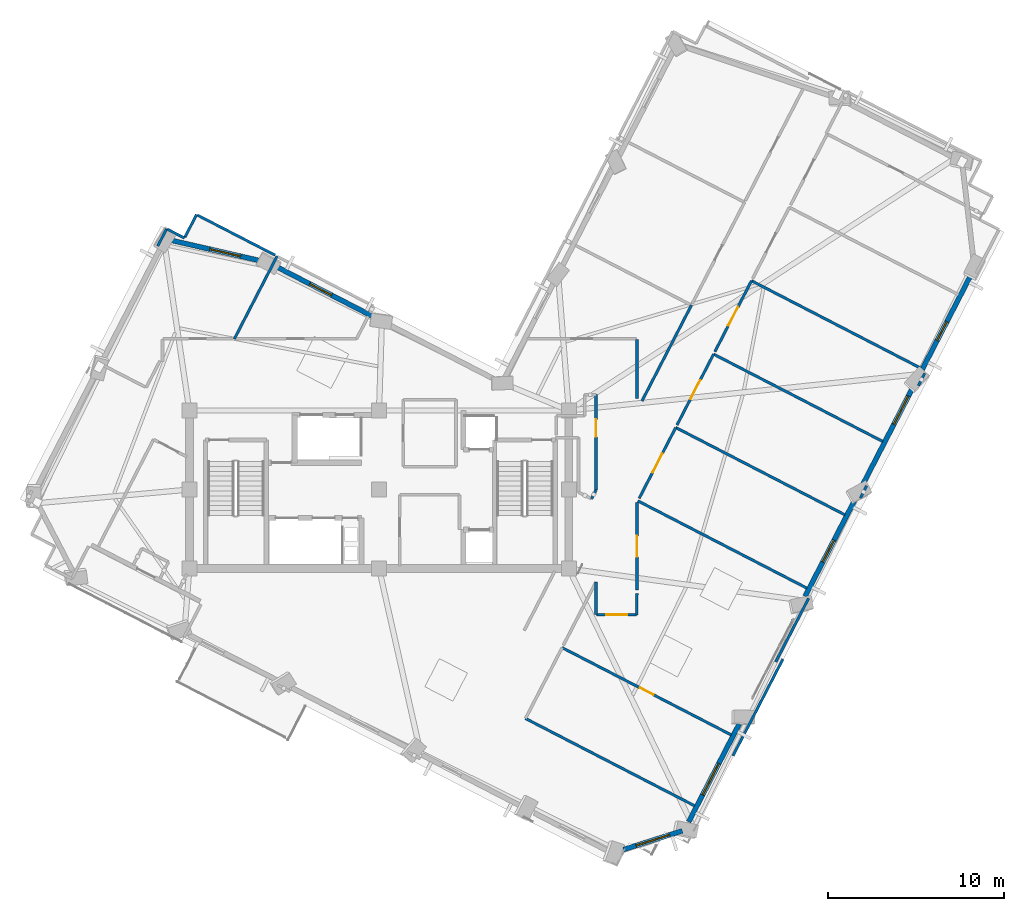
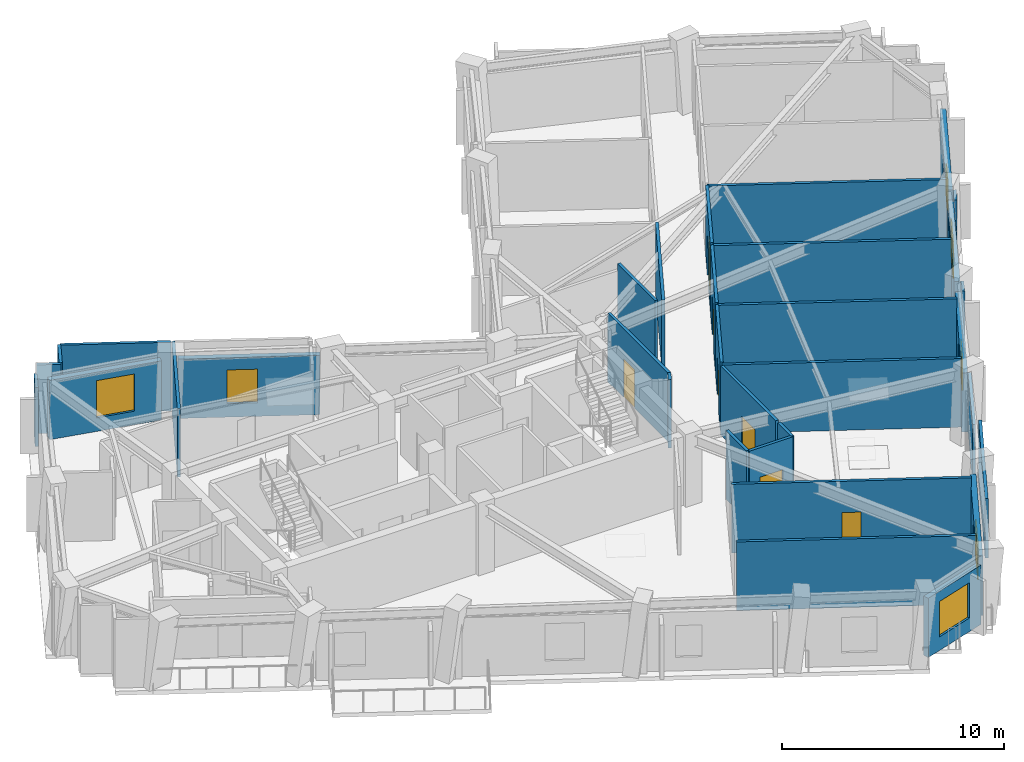
# One storey, part 7 of 11: 33 walls, 7 doors, 7 windows, 14 openings.
"""IFC4 building model written with IfcOpenShell, lengths in metres."""

from ifc_helpers import new_model, si_unit, direction, frame, frame_2d, origin, place, context, subcontext, project, spatial, rectangle, extrude, material, layer, layer_set, type_object, element, fill, save


model = new_model("IFC4")

# Units and contexts
model_context = context("Model", 3, precision=1e-05, world=origin(), true_north=direction((0.0, 1.0)))
body_context = subcontext(model_context, "Body", "Model", "MODEL_VIEW")
ifc_project = project(units=[si_unit("LENGTHUNIT", "METRE"), si_unit("AREAUNIT", "SQUARE_METRE"), si_unit("VOLUMEUNIT", "CUBIC_METRE"), si_unit("PLANEANGLEUNIT", "RADIAN"), si_unit("MASSUNIT", "GRAM", prefix="KILO")], contexts=[model_context])

# Site, building, storey
site_placement = place(None, origin())
site = spatial("IfcSite", under=ifc_project, at=site_placement, CompositionType="ELEMENT")
building_placement = place(site_placement, origin())
building = spatial("IfcBuilding", under=site, at=building_placement, Name="Gaonmaruhae Medical Tower", CompositionType="ELEMENT")
storey_placement = place(building_placement, frame((0.0, 0.0, 292.60009765625)))
storey = spatial("IfcBuildingStorey", under=building, at=storey_placement, Name="L70", CompositionType="ELEMENT", Elevation=292.60009765625)

# Wall, opening, window
ifc_material_1 = material(Name="Precast concrete C45/55", Category="concrete")
ifc_layer_1 = layer(ifc_material_1, 0.280029296875)
ifc_layer_set_1 = layer_set([ifc_layer_1], Name="Precast concrete C45/55")
wall_type_1 = type_object("IfcWallType", Name="EW-280 Upper Precast Masonry-Frame Facade Wall", PredefinedType="SOLIDWALL", material=ifc_layer_set_1)
wall_1_placement = place(storey_placement, frame((45.397705078125, -0.8544921875, 0.0), z_axis=(0.0, 0.0, 1.0), x_axis=(-0.458666894364, -0.888608282662, 0.0)))
wall_1 = element("IfcWall", 1, at=wall_1_placement, inside=storey, type_object=wall_type_1, Name="L70 Precast Masonry-Frame Wall S01-S02", PredefinedType="SOLIDWALL", context=body_context, shape_type="SweptSolid", body=[
    extrude(rectangle(XDim=6.48486328125, YDim=0.280029296875, at=frame_2d((3.242431640625, 0.0))), origin(), (0.0, 0.0, 1.0), 3.264892578125),
])
opening_1_placement = place(wall_1_placement, frame((2.748779296875, 0.0, 0.75)))
opening_1 = element("IfcOpeningElement", 2, at=opening_1_placement, cuts=wall_1, Name="Opening WN-02", PredefinedType="OPENING", context=body_context, shape_type="SweptSolid", body=[
    extrude(rectangle(XDim=2.0, YDim=1.949951171875, at=frame_2d((1.0, 0.97509765625))), frame((0.0, 0.14990234375, 0.0), z_axis=(0.0, -1.0, 0.0), x_axis=(1.0, 0.0, 0.0)), (0.0, 0.0, 1.0), 0.300048828125),
])
ifc_material_2 = material(Name="Anodised aluminium and Low-E double glazing", Category="aluminium")
window_type_1 = type_object("IfcWindowType", Name="WN-02 Double-Bed Ward Punched Window 2000x1950", PartitioningType="SINGLE_PANEL", PredefinedType="WINDOW", material=ifc_material_2)
window_1_placement = place(opening_1_placement, origin())
window_1 = element("IfcWindow", 3, at=window_1_placement, inside=storey, type_object=window_type_1, Name="L70 Modular Facade Window S01", OverallHeight=1.949951171875, OverallWidth=2.0, PartitioningType="SINGLE_PANEL", PredefinedType="WINDOW", context=body_context, shape_type="SweptSolid", body=[
    extrude(rectangle(XDim=2.0, YDim=1.949951171875, at=frame_2d((1.0, 0.97509765625))), frame((0.0, 0.030029296875, 0.0), z_axis=(0.0, -1.0, 0.0), x_axis=(1.0, 0.0, 0.0)), (0.0, 0.0, 1.0), 0.06005859375),
])
fill(opening_1, window_1)

wall_2_placement = place(storey_placement, frame((51.989990234375, 11.918212890625, 0.0), z_axis=(0.0, 0.0, 1.0), x_axis=(-0.45864291977, -0.888620657055, 0.0)))
wall_2 = element("IfcWall", 4, at=wall_2_placement, inside=storey, type_object=wall_type_1, Name="L70 Precast Masonry-Frame Wall S03-S04", PredefinedType="SOLIDWALL", context=body_context, shape_type="SweptSolid", body=[
    extrude(rectangle(XDim=6.413330078125, YDim=0.280029296875, at=frame_2d((3.20654296875, 0.0))), origin(), (0.0, 0.0, 1.0), 3.264892578125),
])
opening_2_placement = place(wall_2_placement, frame((2.817626953125, 0.0, 0.75)))
opening_2 = element("IfcOpeningElement", 5, at=opening_2_placement, cuts=wall_2, Name="Opening WN-03", PredefinedType="OPENING", context=body_context, shape_type="SweptSolid", body=[
    extrude(rectangle(XDim=1.39990234375, YDim=1.85009765625, at=frame_2d((0.699951171875, 0.925048828125))), frame((0.0, 0.14990234375, 0.0), z_axis=(0.0, -1.0, 0.0), x_axis=(1.0, 0.0, 0.0)), (0.0, 0.0, 1.0), 0.300048828125),
])
window_type_2 = type_object("IfcWindowType", Name="WN-03 Isolation Ward Punched Window 1400x1850", PartitioningType="SINGLE_PANEL", PredefinedType="WINDOW", material=ifc_material_2)
window_2_placement = place(opening_2_placement, origin())
window_2 = element("IfcWindow", 6, at=window_2_placement, inside=storey, type_object=window_type_2, Name="L70 Modular Facade Window S03", OverallHeight=1.85009765625, OverallWidth=1.39990234375, PartitioningType="SINGLE_PANEL", PredefinedType="WINDOW", context=body_context, shape_type="SweptSolid", body=[
    extrude(rectangle(XDim=1.39990234375, YDim=1.85009765625, at=frame_2d((0.699951171875, 0.925048828125))), frame((0.0, 0.030029296875, 0.0), z_axis=(0.0, -1.0, 0.0), x_axis=(1.0, 0.0, 0.0)), (0.0, 0.0, 1.0), 0.06005859375),
])
fill(opening_2, window_2)

wall_3_placement = place(storey_placement, frame((55.292724609375, 18.31689453125, 0.0), z_axis=(0.0, 0.0, 1.0), x_axis=(-0.458654567853, -0.888614645045, 0.0)))
wall_3 = element("IfcWall", 7, at=wall_3_placement, inside=storey, type_object=wall_type_1, Name="L70 Precast Masonry-Frame Wall S04-S05", PredefinedType="SOLIDWALL", context=body_context, shape_type="SweptSolid", body=[
    extrude(rectangle(XDim=6.40673828125, YDim=0.280029296875, at=frame_2d((3.203369140625, 0.0))), origin(), (0.0, 0.0, 1.0), 3.264892578125),
])
opening_3_placement = place(wall_3_placement, frame((0.789794921875, 0.0, 0.75)))
opening_3 = element("IfcOpeningElement", 8, at=opening_3_placement, cuts=wall_3, Name="Opening WN-04", PredefinedType="OPENING", context=body_context, shape_type="SweptSolid", body=[
    extrude(rectangle(XDim=1.800048828125, YDim=2.050048828125, at=frame_2d((0.89990234375, 1.02490234375))), frame((0.0, 0.14990234375, 0.0), z_axis=(0.0, -1.0, 0.0), x_axis=(1.0, 0.0, 0.0)), (0.0, 0.0, 1.0), 0.300048828125),
])
window_type_3 = type_object("IfcWindowType", Name="WN-04 Clinic & Consult Punched Window 1800x2050", PartitioningType="SINGLE_PANEL", PredefinedType="WINDOW", material=ifc_material_2)
window_3_placement = place(opening_3_placement, origin())
window_3 = element("IfcWindow", 9, at=window_3_placement, inside=storey, type_object=window_type_3, Name="L70 Modular Facade Window S04", OverallHeight=2.050048828125, OverallWidth=1.800048828125, PartitioningType="SINGLE_PANEL", PredefinedType="WINDOW", context=body_context, shape_type="SweptSolid", body=[
    extrude(rectangle(XDim=1.800048828125, YDim=2.050048828125, at=frame_2d((0.89990234375, 1.02490234375))), frame((0.0, 0.030029296875, 0.0), z_axis=(0.0, -1.0, 0.0), x_axis=(1.0, 0.0, 0.0)), (0.0, 0.0, 1.0), 0.06005859375),
])
fill(opening_3, window_3)

wall_4_placement = place(storey_placement, frame((58.599609375, 24.723876953125, 0.0), z_axis=(0.0, 0.0, 1.0), x_axis=(-0.458648733121, -0.888617656592, 0.0)))
wall_4 = element("IfcWall", 10, at=wall_4_placement, inside=storey, type_object=wall_type_1, Name="L70 Precast Masonry-Frame Wall S05-S06", PredefinedType="SOLIDWALL", context=body_context, shape_type="SweptSolid", body=[
    extrude(rectangle(XDim=6.41845703125, YDim=0.280029296875, at=frame_2d((3.209228515625, 0.0))), origin(), (0.0, 0.0, 1.0), 3.264892578125),
])
opening_4_placement = place(wall_4_placement, frame((3.228271484375, 0.0, 0.75)))
opening_4 = element("IfcOpeningElement", 11, at=opening_4_placement, cuts=wall_4, Name="Opening WN-05", PredefinedType="OPENING", context=body_context, shape_type="SweptSolid", body=[
    extrude(rectangle(XDim=1.199951171875, YDim=1.75, at=frame_2d((0.60009765625, 0.875))), frame((0.0, 0.14990234375, 0.0), z_axis=(0.0, -1.0, 0.0), x_axis=(1.0, 0.0, 0.0)), (0.0, 0.0, 1.0), 0.300048828125),
])
window_type_4 = type_object("IfcWindowType", Name="WN-05 Support & Staff Punched Window 1200x1750", PartitioningType="SINGLE_PANEL", PredefinedType="WINDOW", material=ifc_material_2)
window_4_placement = place(opening_4_placement, origin())
window_4 = element("IfcWindow", 12, at=window_4_placement, inside=storey, type_object=window_type_4, Name="L70 Modular Facade Window S05", OverallHeight=1.75, OverallWidth=1.199951171875, PartitioningType="SINGLE_PANEL", PredefinedType="WINDOW", context=body_context, shape_type="SweptSolid", body=[
    extrude(rectangle(XDim=1.199951171875, YDim=1.75, at=frame_2d((0.60009765625, 0.875))), frame((0.0, 0.030029296875, 0.0), z_axis=(0.0, -1.0, 0.0), x_axis=(1.0, 0.0, 0.0)), (0.0, 0.0, 1.0), 0.06005859375),
])
fill(opening_4, window_4)

wall_5_placement = place(storey_placement, frame((18.898681640625, 25.016845703125, 0.0), z_axis=(0.0, 0.0, 1.0), x_axis=(0.888622655643, -0.458639047485, 0.0)))
wall_5 = element("IfcWall", 13, at=wall_5_placement, inside=storey, type_object=wall_type_1, Name="L70 Precast Masonry-Frame Wall NE01-NE02", PredefinedType="SOLIDWALL", context=body_context, shape_type="SweptSolid", body=[
    extrude(rectangle(XDim=6.424072265625, YDim=0.280029296875, at=frame_2d((3.2119140625, 0.0))), origin(), (0.0, 0.0, 1.0), 3.264892578125),
])
opening_5_placement = place(wall_5_placement, frame((2.201171875, 0.0, 0.75)))
opening_5 = element("IfcOpeningElement", 14, at=opening_5_placement, cuts=wall_5, Name="Opening WN-03", PredefinedType="OPENING", context=body_context, shape_type="SweptSolid", body=[
    extrude(rectangle(XDim=1.39990234375, YDim=1.85009765625, at=frame_2d((0.699951171875, 0.925048828125))), frame((0.0, 0.14990234375, 0.0), z_axis=(0.0, -1.0, 0.0), x_axis=(1.0, 0.0, 0.0)), (0.0, 0.0, 1.0), 0.300048828125),
])
window_5_placement = place(opening_5_placement, origin())
window_5 = element("IfcWindow", 15, at=window_5_placement, inside=storey, type_object=window_type_2, Name="L70 Modular Facade Window NE01", OverallHeight=1.85009765625, OverallWidth=1.39990234375, PartitioningType="SINGLE_PANEL", PredefinedType="WINDOW", context=body_context, shape_type="SweptSolid", body=[
    extrude(rectangle(XDim=1.39990234375, YDim=1.85009765625, at=frame_2d((0.699951171875, 0.925048828125))), frame((0.0, 0.030029296875, 0.0), z_axis=(0.0, -1.0, 0.0), x_axis=(1.0, 0.0, 0.0)), (0.0, 0.0, 1.0), 0.06005859375),
])
fill(opening_5, window_5)

wall_6_placement = place(storey_placement, frame((12.998779296875, 26.4814453125, 0.0), z_axis=(0.0, 0.0, 1.0), x_axis=(0.974684468416, -0.223584854203, 0.0)))
wall_6 = element("IfcWall", 16, at=wall_6_placement, inside=storey, type_object=wall_type_1, Name="L70 Precast Masonry-Frame Wall NE02-N01", PredefinedType="SOLIDWALL", context=body_context, shape_type="SweptSolid", body=[
    extrude(rectangle(XDim=5.302490234375, YDim=0.280029296875, at=frame_2d((2.6513671875, 0.0))), origin(), (0.0, 0.0, 1.0), 3.264892578125),
])
opening_6_placement = place(wall_6_placement, frame((2.2197265625, 0.0, 0.75)))
opening_6 = element("IfcOpeningElement", 17, at=opening_6_placement, cuts=wall_6, Name="Opening WN-04", PredefinedType="OPENING", context=body_context, shape_type="SweptSolid", body=[
    extrude(rectangle(XDim=1.800048828125, YDim=2.050048828125, at=frame_2d((0.89990234375, 1.02490234375))), frame((0.0, 0.14990234375, 0.0), z_axis=(0.0, -1.0, 0.0), x_axis=(1.0, 0.0, 0.0)), (0.0, 0.0, 1.0), 0.300048828125),
])
window_6_placement = place(opening_6_placement, origin())
window_6 = element("IfcWindow", 18, at=window_6_placement, inside=storey, type_object=window_type_3, Name="L70 Modular Facade Window NE02", OverallHeight=2.050048828125, OverallWidth=1.800048828125, PartitioningType="SINGLE_PANEL", PredefinedType="WINDOW", context=body_context, shape_type="SweptSolid", body=[
    extrude(rectangle(XDim=1.800048828125, YDim=2.050048828125, at=frame_2d((0.89990234375, 1.02490234375))), frame((0.0, 0.030029296875, 0.0), z_axis=(0.0, -1.0, 0.0), x_axis=(1.0, 0.0, 0.0)), (0.0, 0.0, 1.0), 0.06005859375),
])
fill(opening_6, window_6)

wall_7_placement = place(storey_placement, frame((42.062744140625, -7.125, 0.0), z_axis=(0.0, 0.0, 1.0), x_axis=(-0.95267502103, -0.303990631938, 0.0)))
wall_7 = element("IfcWall", 19, at=wall_7_placement, inside=storey, type_object=wall_type_1, Name="L70 Precast Masonry-Frame Wall W06-S01", PredefinedType="SOLIDWALL", context=body_context, shape_type="SweptSolid", body=[
    extrude(rectangle(XDim=3.520751953125, YDim=0.280029296875, at=frame_2d((1.76025390625, 0.0))), origin(), (0.0, 0.0, 1.0), 3.264892578125),
])
opening_7_placement = place(wall_7_placement, frame((0.759765625, 0.0, 0.75)))
opening_7 = element("IfcOpeningElement", 20, at=opening_7_placement, cuts=wall_7, Name="Opening WN-02", PredefinedType="OPENING", context=body_context, shape_type="SweptSolid", body=[
    extrude(rectangle(XDim=2.0, YDim=1.949951171875, at=frame_2d((1.0, 0.97509765625))), frame((0.0, 0.14990234375, 0.0), z_axis=(0.0, -1.0, 0.0), x_axis=(1.0, 0.0, 0.0)), (0.0, 0.0, 1.0), 0.300048828125),
])
window_7_placement = place(opening_7_placement, origin())
window_7 = element("IfcWindow", 21, at=window_7_placement, inside=storey, type_object=window_type_1, Name="L70 Modular Facade Window W06", OverallHeight=1.949951171875, OverallWidth=2.0, PartitioningType="SINGLE_PANEL", PredefinedType="WINDOW", context=body_context, shape_type="SweptSolid", body=[
    extrude(rectangle(XDim=2.0, YDim=1.949951171875, at=frame_2d((1.0, 0.97509765625))), frame((0.0, 0.030029296875, 0.0), z_axis=(0.0, -1.0, 0.0), x_axis=(1.0, 0.0, 0.0)), (0.0, 0.0, 1.0), 0.06005859375),
])
fill(opening_7, window_7)

# Wall, opening, door
ifc_material_3 = material(Name="Gypsum board partition", Category="gypsum")
ifc_layer_2 = layer(ifc_material_3, 0.14990234375)
ifc_layer_set_2 = layer_set([ifc_layer_2], Name="Gypsum board partition")
wall_type_2 = type_object("IfcWallType", Name="PW-150 Rated Clinical Corridor Partition", PredefinedType="PARTITIONING", material=ifc_layer_set_2)
wall_8_placement = place(storey_placement, frame((35.220947265625, 3.302001953125, 0.0), z_axis=(0.0, 0.0, 1.0), x_axis=(0.888635172548, -0.45861479491, 0.0)))
wall_8 = element("IfcWall", 22, at=wall_8_placement, inside=storey, type_object=wall_type_2, Name="L70 Interior Partition L70-SUP02-9", PredefinedType="PARTITIONING", context=body_context, shape_type="SweptSolid", body=[
    extrude(rectangle(XDim=10.834716796875, YDim=0.14990234375, at=frame_2d((5.41748046875, 0.0))), origin(), (0.0, 0.0, 1.0), 3.77978515625),
])
opening_8_placement = place(wall_8_placement, frame((4.9873046875, 0.0, 0.0)))
opening_8 = element("IfcOpeningElement", 23, at=opening_8_placement, cuts=wall_8, Name="Opening AD-01", PredefinedType="OPENING", context=body_context, shape_type="SweptSolid", body=[
    extrude(rectangle(XDim=0.860107421875, YDim=2.06005859375, at=frame_2d((0.43017578125, 1.030029296875))), frame((0.0, 0.0849609375, 0.0), z_axis=(0.0, -1.0, 0.0), x_axis=(1.0, 0.0, 0.0)), (0.0, 0.0, 1.0), 0.169921875),
])
ifc_material_4 = material(Name="Powder-coated steel access door", Category="steel")
door_type_1 = type_object("IfcDoorType", Name="AD-01 Riser & Closet Access Fire Door 860x2060", OperationType="NOTDEFINED", PredefinedType="DOOR", material=ifc_material_4)
door_1_placement = place(opening_8_placement, origin())
door_1 = element("IfcDoor", 24, at=door_1_placement, inside=storey, type_object=door_type_1, Name="L70 Clinical Biomedical Charting Office Sliding Door", OperationType="SLIDING_TO_LEFT", OverallHeight=2.06005859375, OverallWidth=0.860107421875, PredefinedType="DOOR", context=body_context, shape_type="SweptSolid", body=[
    extrude(rectangle(XDim=0.860107421875, YDim=2.06005859375, at=frame_2d((0.43017578125, 1.030029296875))), frame((0.0, 0.02490234375, 0.0), z_axis=(0.0, -1.0, 0.0), x_axis=(1.0, 0.0, 0.0)), (0.0, 0.0, 1.0), 0.050048828125),
])
fill(opening_8, door_1)

# Wall
wall_9_placement = place(storey_placement, frame((42.76611328125, -5.701904296875, 0.0), z_axis=(0.0, 0.0, 1.0), x_axis=(-0.888598438658, 0.458685965356, 0.0)))
element("IfcWall", 25, at=wall_9_placement, inside=storey, type_object=wall_type_2, Name="L70 Interior Partition L70-SUP02-10", PredefinedType="PARTITIONING", context=body_context, shape_type="SweptSolid", body=[
    extrude(rectangle(XDim=10.835205078125, YDim=0.14990234375, at=frame_2d((5.41748046875, 0.0))), origin(), (0.0, 0.0, 1.0), 3.77978515625),
])

# Wall, opening, door
wall_10_placement = place(storey_placement, frame((37.179931640625, 5.169921875, 0.0), z_axis=(0.0, 0.0, 1.0), x_axis=(0.999998349231, 0.001817012819, 0.0)))
wall_10 = element("IfcWall", 26, at=wall_10_placement, inside=storey, type_object=wall_type_2, Name="L70 Interior Partition L70-SUP03-11", PredefinedType="PARTITIONING", context=body_context, shape_type="SweptSolid", body=[
    extrude(rectangle(XDim=2.2841796875, YDim=0.14990234375, at=frame_2d((1.14208984375, 0.0))), origin(), (0.0, 0.0, 1.0), 3.77978515625),
])
opening_9_placement = place(wall_10_placement, frame((0.5419921875, 0.0, 0.0)))
opening_9 = element("IfcOpeningElement", 27, at=opening_9_placement, cuts=wall_10, Name="Opening CD-02", PredefinedType="OPENING", context=body_context, shape_type="SweptSolid", body=[
    extrude(rectangle(XDim=1.199951171875, YDim=2.14990234375, at=frame_2d((0.60009765625, 1.074951171875))), frame((0.0, 0.0849609375, 0.0), z_axis=(0.0, -1.0, 0.0), x_axis=(1.0, 0.0, 0.0)), (0.0, 0.0, 1.0), 0.169921875),
])
ifc_material_5 = material(Name="Antimicrobial laminate timber fire door", Category="wood")
door_type_2 = type_object("IfcDoorType", Name="CD-02 Clinical Treatment & Procedure Door 1200x2150", OperationType="NOTDEFINED", PredefinedType="DOOR", material=ifc_material_5)
door_2_placement = place(opening_9_placement, origin())
door_2 = element("IfcDoor", 28, at=door_2_placement, inside=storey, type_object=door_type_2, Name="L70 Clinical Biomedical Charting Office Door", OperationType="SINGLE_SWING_RIGHT", OverallHeight=2.14990234375, OverallWidth=1.199951171875, PredefinedType="DOOR", context=body_context, shape_type="SweptSolid", body=[
    extrude(rectangle(XDim=1.199951171875, YDim=2.14990234375, at=frame_2d((0.60009765625, 1.074951171875))), frame((0.0, 0.02490234375, 0.0), z_axis=(0.0, -1.0, 0.0), x_axis=(1.0, 0.0, 0.0)), (0.0, 0.0, 1.0), 0.050048828125),
])
fill(opening_9, door_2)

# Walls
wall_11_placement = place(storey_placement, frame((39.464111328125, 5.174072265625, 0.0), z_axis=(0.0, 0.0, 1.0), x_axis=(0.013017122529, 0.999915273671, 0.0)))
element("IfcWall", 29, at=wall_11_placement, inside=storey, type_object=wall_type_2, Name="L70 Interior Partition L70-SUP03-12", PredefinedType="PARTITIONING", context=body_context, shape_type="SweptSolid", body=[
    extrude(rectangle(XDim=1.218994140625, YDim=0.14990234375, at=frame_2d((0.609375, 0.0))), origin(), (0.0, 0.0, 1.0), 3.77978515625),
])
wall_12_placement = place(storey_placement, frame((37.14990234375, 7.0400390625, 0.0), z_axis=(0.0, 0.0, 1.0), x_axis=(0.0, -1.0, 0.0)))
element("IfcWall", 30, at=wall_12_placement, inside=storey, type_object=wall_type_2, Name="L70 Interior Partition L70-SUP03-16", PredefinedType="PARTITIONING", context=body_context, shape_type="SweptSolid", body=[
    extrude(rectangle(XDim=1.843017578125, YDim=0.14990234375, at=frame_2d((0.92138671875, 0.0))), origin(), (0.0, 0.0, 1.0), 3.77978515625),
])
wall_13_placement = place(storey_placement, frame((39.531982421875, 11.655029296875, 0.0), z_axis=(0.0, 0.0, 1.0), x_axis=(0.888630433089, -0.458623978209, 0.0)))
element("IfcWall", 31, at=wall_13_placement, inside=storey, type_object=wall_type_2, Name="L70 Interior Partition L70-SUP04-17", PredefinedType="PARTITIONING", context=body_context, shape_type="SweptSolid", body=[
    extrude(rectangle(XDim=10.83447265625, YDim=0.14990234375, at=frame_2d((5.417236328125, 0.0))), origin(), (0.0, 0.0, 1.0), 3.77978515625),
])
wall_14_placement = place(storey_placement, frame((49.2529296875, 6.114013671875, 0.0), z_axis=(0.0, 0.0, 1.0), x_axis=(-0.458632236852, -0.888626170738, 0.0)))
element("IfcWall", 32, at=wall_14_placement, inside=storey, type_object=wall_type_2, Name="L70 Interior Partition L70-SUP04-18", PredefinedType="PARTITIONING", context=body_context, shape_type="SweptSolid", body=[
    extrude(rectangle(XDim=4.074951171875, YDim=0.14990234375, at=frame_2d((2.03759765625, 0.0))), origin(), (0.0, 0.0, 1.0), 3.264892578125),
])

# Wall, opening, door
wall_15_placement = place(storey_placement, frame((39.47998046875, 6.572998046875, 0.0), z_axis=(0.0, 0.0, 1.0), x_axis=(0.0, 1.0, 0.0)))
wall_15 = element("IfcWall", 33, at=wall_15_placement, inside=storey, type_object=wall_type_2, Name="L70 Interior Partition L70-SUP04-19", PredefinedType="PARTITIONING", context=body_context, shape_type="SweptSolid", body=[
    extrude(rectangle(XDim=4.98193359375, YDim=0.14990234375, at=frame_2d((2.490966796875, 0.0))), origin(), (0.0, 0.0, 1.0), 3.77978515625),
])
opening_10_placement = place(wall_15_placement, frame((1.89111328125, 0.0, 0.0)))
opening_10 = element("IfcOpeningElement", 34, at=opening_10_placement, cuts=wall_15, Name="Opening CD-02", PredefinedType="OPENING", context=body_context, shape_type="SweptSolid", body=[
    extrude(rectangle(XDim=1.199951171875, YDim=2.14990234375, at=frame_2d((0.60009765625, 1.074951171875))), frame((0.0, 0.0849609375, 0.0), z_axis=(0.0, -1.0, 0.0), x_axis=(1.0, 0.0, 0.0)), (0.0, 0.0, 1.0), 0.169921875),
])
door_3_placement = place(opening_10_placement, origin())
door_3 = element("IfcDoor", 35, at=door_3_placement, inside=storey, type_object=door_type_2, Name="L70 Clinical Biomedical Charting Office Door", OperationType="SINGLE_SWING_LEFT", OverallHeight=2.14990234375, OverallWidth=1.199951171875, PredefinedType="DOOR", context=body_context, shape_type="SweptSolid", body=[
    extrude(rectangle(XDim=1.199951171875, YDim=2.14990234375, at=frame_2d((0.60009765625, 1.074951171875))), frame((0.0, 0.02490234375, 0.0), z_axis=(0.0, -1.0, 0.0), x_axis=(1.0, 0.0, 0.0)), (0.0, 0.0, 1.0), 0.050048828125),
])
fill(opening_10, door_3)

wall_16_placement = place(storey_placement, frame((39.60498046875, 11.797119140625, 0.0), z_axis=(0.0, 0.0, 1.0), x_axis=(0.458725089839, 0.888578241885, 0.0)))
wall_16 = element("IfcWall", 36, at=wall_16_placement, inside=storey, type_object=wall_type_2, Name="L70 Interior Partition L70-SUP05-20", PredefinedType="PARTITIONING", context=body_context, shape_type="SweptSolid", body=[
    extrude(rectangle(XDim=4.540771484375, YDim=0.14990234375, at=frame_2d((2.2705078125, 0.0))), origin(), (0.0, 0.0, 1.0), 3.77978515625),
])
opening_11_placement = place(wall_16_placement, frame((1.67041015625, 0.0, 0.0)))
opening_11 = element("IfcOpeningElement", 37, at=opening_11_placement, cuts=wall_16, Name="Opening CD-02", PredefinedType="OPENING", context=body_context, shape_type="SweptSolid", body=[
    extrude(rectangle(XDim=1.199951171875, YDim=2.14990234375, at=frame_2d((0.60009765625, 1.074951171875))), frame((0.0, 0.0849609375, 0.0), z_axis=(0.0, -1.0, 0.0), x_axis=(1.0, 0.0, 0.0)), (0.0, 0.0, 1.0), 0.169921875),
])
door_4_placement = place(opening_11_placement, origin())
door_4 = element("IfcDoor", 38, at=door_4_placement, inside=storey, type_object=door_type_2, Name="L70 Clinical Biomedical Charting Office Door", OperationType="SINGLE_SWING_RIGHT", OverallHeight=2.14990234375, OverallWidth=1.199951171875, PredefinedType="DOOR", context=body_context, shape_type="SweptSolid", body=[
    extrude(rectangle(XDim=1.199951171875, YDim=2.14990234375, at=frame_2d((0.60009765625, 1.074951171875))), frame((0.0, 0.02490234375, 0.0), z_axis=(0.0, -1.0, 0.0), x_axis=(1.0, 0.0, 0.0)), (0.0, 0.0, 1.0), 0.050048828125),
])
fill(opening_11, door_4)

# Wall
wall_17_placement = place(storey_placement, frame((41.68798828125, 15.83203125, 0.0), z_axis=(0.0, 0.0, 1.0), x_axis=(0.888593697923, -0.458695149321, 0.0)))
element("IfcWall", 39, at=wall_17_placement, inside=storey, type_object=wall_type_2, Name="L70 Interior Partition L70-SUP05-21", PredefinedType="PARTITIONING", context=body_context, shape_type="SweptSolid", body=[
    extrude(rectangle(XDim=10.8349609375, YDim=0.14990234375, at=frame_2d((5.41748046875, 0.0))), origin(), (0.0, 0.0, 1.0), 3.77978515625),
])

# Wall, opening, door
wall_18_placement = place(storey_placement, frame((41.760986328125, 15.97412109375, 0.0), z_axis=(0.0, 0.0, 1.0), x_axis=(0.45864291977, 0.888620657055, 0.0)))
wall_18 = element("IfcWall", 40, at=wall_18_placement, inside=storey, type_object=wall_type_2, Name="L70 Interior Partition L70-SUP06-22", PredefinedType="PARTITIONING", context=body_context, shape_type="SweptSolid", body=[
    extrude(rectangle(XDim=4.53955078125, YDim=0.14990234375, at=frame_2d((2.269775390625, 0.0))), origin(), (0.0, 0.0, 1.0), 3.77978515625),
])
opening_12_placement = place(wall_18_placement, frame((1.669921875, 0.0, 0.0)))
opening_12 = element("IfcOpeningElement", 41, at=opening_12_placement, cuts=wall_18, Name="Opening CD-02", PredefinedType="OPENING", context=body_context, shape_type="SweptSolid", body=[
    extrude(rectangle(XDim=1.199951171875, YDim=2.14990234375, at=frame_2d((0.60009765625, 1.074951171875))), frame((0.0, 0.0849609375, 0.0), z_axis=(0.0, -1.0, 0.0), x_axis=(1.0, 0.0, 0.0)), (0.0, 0.0, 1.0), 0.169921875),
])
door_5_placement = place(opening_12_placement, origin())
door_5 = element("IfcDoor", 42, at=door_5_placement, inside=storey, type_object=door_type_2, Name="L70 Clinical Biomedical Charting Office Door", OperationType="SINGLE_SWING_RIGHT", OverallHeight=2.14990234375, OverallWidth=1.199951171875, PredefinedType="DOOR", context=body_context, shape_type="SweptSolid", body=[
    extrude(rectangle(XDim=1.199951171875, YDim=2.14990234375, at=frame_2d((0.60009765625, 1.074951171875))), frame((0.0, 0.02490234375, 0.0), z_axis=(0.0, -1.0, 0.0), x_axis=(1.0, 0.0, 0.0)), (0.0, 0.0, 1.0), 0.050048828125),
])
fill(opening_12, door_5)

# Walls
wall_19_placement = place(storey_placement, frame((43.843017578125, 20.008056640625, 0.0), z_axis=(0.0, 0.0, 1.0), x_axis=(0.888649389218, -0.458587246926, 0.0)))
element("IfcWall", 43, at=wall_19_placement, inside=storey, type_object=wall_type_2, Name="L70 Interior Partition L70-SUP06-23", PredefinedType="PARTITIONING", context=body_context, shape_type="SweptSolid", body=[
    extrude(rectangle(XDim=10.83544921875, YDim=0.14990234375, at=frame_2d((5.417724609375, 0.0))), origin(), (0.0, 0.0, 1.0), 3.77978515625),
])
wall_20_placement = place(storey_placement, frame((52.55908203125, 12.51806640625, 0.0), z_axis=(0.0, 0.0, 1.0), x_axis=(-0.458744801223, -0.888568065682, 0.0)))
element("IfcWall", 44, at=wall_20_placement, inside=storey, type_object=wall_type_2, Name="L70 Interior Partition L70-SUP06-24", PredefinedType="PARTITIONING", context=body_context, shape_type="SweptSolid", body=[
    extrude(rectangle(XDim=0.79345703125, YDim=0.14990234375, at=frame_2d((0.396728515625, 0.0))), origin(), (0.0, 0.0, 1.0), 3.264892578125),
])

# Wall, opening, door
wall_21_placement = place(storey_placement, frame((43.9169921875, 20.14990234375, 0.0), z_axis=(0.0, 0.0, 1.0), x_axis=(0.458533348006, 0.888677201669, 0.0)))
wall_21 = element("IfcWall", 45, at=wall_21_placement, inside=storey, type_object=wall_type_2, Name="L70 Interior Partition L70-SUP07-25", PredefinedType="PARTITIONING", context=body_context, shape_type="SweptSolid", body=[
    extrude(rectangle(XDim=4.54052734375, YDim=0.14990234375, at=frame_2d((2.270263671875, 0.0))), origin(), (0.0, 0.0, 1.0), 3.77978515625),
])
opening_13_placement = place(wall_21_placement, frame((1.670166015625, 0.0, 0.0)))
opening_13 = element("IfcOpeningElement", 46, at=opening_13_placement, cuts=wall_21, Name="Opening CD-02", PredefinedType="OPENING", context=body_context, shape_type="SweptSolid", body=[
    extrude(rectangle(XDim=1.199951171875, YDim=2.14990234375, at=frame_2d((0.60009765625, 1.074951171875))), frame((0.0, 0.0849609375, 0.0), z_axis=(0.0, -1.0, 0.0), x_axis=(1.0, 0.0, 0.0)), (0.0, 0.0, 1.0), 0.169921875),
])
door_6_placement = place(opening_13_placement, origin())
door_6 = element("IfcDoor", 47, at=door_6_placement, inside=storey, type_object=door_type_2, Name="L70 Clinical Biomedical Charting Office Door", OperationType="SINGLE_SWING_LEFT", OverallHeight=2.14990234375, OverallWidth=1.199951171875, PredefinedType="DOOR", context=body_context, shape_type="SweptSolid", body=[
    extrude(rectangle(XDim=1.199951171875, YDim=2.14990234375, at=frame_2d((0.60009765625, 1.074951171875))), frame((0.0, 0.02490234375, 0.0), z_axis=(0.0, -1.0, 0.0), x_axis=(1.0, 0.0, 0.0)), (0.0, 0.0, 1.0), 0.050048828125),
])
fill(opening_13, door_6)

# Walls
wall_22_placement = place(storey_placement, frame((45.9990234375, 24.18505859375, 0.0), z_axis=(0.0, 0.0, 1.0), x_axis=(0.888593697923, -0.458695149321, 0.0)))
element("IfcWall", 48, at=wall_22_placement, inside=storey, type_object=wall_type_2, Name="L70 Interior Partition L70-SUP07-26", PredefinedType="PARTITIONING", context=body_context, shape_type="SweptSolid", body=[
    extrude(rectangle(XDim=10.8349609375, YDim=0.14990234375, at=frame_2d((5.41748046875, 0.0))), origin(), (0.0, 0.0, 1.0), 3.77978515625),
])
wall_23_placement = place(storey_placement, frame((55.860107421875, 18.9150390625, 0.0), z_axis=(0.0, 0.0, 1.0), x_axis=(-0.458273916957, -0.888811013116, 0.0)))
element("IfcWall", 49, at=wall_23_placement, inside=storey, type_object=wall_type_2, Name="L70 Interior Partition L70-SUP07-27", PredefinedType="PARTITIONING", context=body_context, shape_type="SweptSolid", body=[
    extrude(rectangle(XDim=0.792236328125, YDim=0.14990234375, at=frame_2d((0.39599609375, 0.0))), origin(), (0.0, 0.0, 1.0), 3.264892578125),
])

# Wall, opening, door
wall_24_placement = place(storey_placement, frame((37.14990234375, 17.699951171875, 0.0), z_axis=(0.0, 0.0, 1.0), x_axis=(0.0, -1.0, 0.0)))
wall_24 = element("IfcWall", 50, at=wall_24_placement, inside=storey, type_object=wall_type_2, Name="L70 Interior Partition L70-IE02-65", PredefinedType="PARTITIONING", context=body_context, shape_type="SweptSolid", body=[
    extrude(rectangle(XDim=5.427001953125, YDim=0.14990234375, at=frame_2d((2.71337890625, 0.0))), origin(), (0.0, 0.0, 1.0), 3.77978515625),
])
opening_14_placement = place(wall_24_placement, frame((1.4013671875, 0.0, 0.0)))
opening_14 = element("IfcOpeningElement", 51, at=opening_14_placement, cuts=wall_24, Name="Opening CD-01", PredefinedType="OPENING", context=body_context, shape_type="SweptSolid", body=[
    extrude(rectangle(XDim=1.0, YDim=2.1201171875, at=frame_2d((0.5, 1.06005859375))), frame((0.0, 0.0849609375, 0.0), z_axis=(0.0, -1.0, 0.0), x_axis=(1.0, 0.0, 0.0)), (0.0, 0.0, 1.0), 0.169921875),
])
door_type_3 = type_object("IfcDoorType", Name="CD-01 Consultation & Physician Office Door 1000x2120", OperationType="NOTDEFINED", PredefinedType="DOOR", material=ifc_material_5)
door_7_placement = place(opening_14_placement, origin())
door_7 = element("IfcDoor", 52, at=door_7_placement, inside=storey, type_object=door_type_3, Name="L70 Acute Treatment Examination Room Sliding Door", OperationType="SLIDING_TO_LEFT", OverallHeight=2.1201171875, OverallWidth=1.0, PredefinedType="DOOR", context=body_context, shape_type="SweptSolid", body=[
    extrude(rectangle(XDim=1.0, YDim=2.1201171875, at=frame_2d((0.5, 1.06005859375))), frame((0.0, 0.02490234375, 0.0), z_axis=(0.0, -1.0, 0.0), x_axis=(1.0, 0.0, 0.0)), (0.0, 0.0, 1.0), 0.050048828125),
])
fill(opening_14, door_7)

# Walls
wall_25_placement = place(storey_placement, frame((37.14990234375, 12.27294921875, 0.0), z_axis=(0.0, 0.0, 1.0), x_axis=(-0.458951701301, -0.88846121799, 0.0)))
element("IfcWall", 53, at=wall_25_placement, inside=storey, type_object=wall_type_2, Name="L70 Interior Partition L70-IE02-66", PredefinedType="PARTITIONING", context=body_context, shape_type="SweptSolid", body=[
    extrude(rectangle(XDim=0.56396484375, YDim=0.14990234375, at=frame_2d((0.281982421875, 0.0))), origin(), (0.0, 0.0, 1.0), 3.77978515625),
])
wall_26_placement = place(storey_placement, frame((42.5810546875, 22.794921875, 0.0), z_axis=(0.0, 0.0, 1.0), x_axis=(-0.45865608207, -0.888613863486, 0.0)))
element("IfcWall", 54, at=wall_26_placement, inside=storey, type_object=wall_type_2, Name="L70 Interior Partition L70-IE03-74", PredefinedType="PARTITIONING", context=body_context, shape_type="SweptSolid", body=[
    extrude(rectangle(XDim=6.14208984375, YDim=0.14990234375, at=frame_2d((3.071044921875, 0.0))), origin(), (0.0, 0.0, 1.0), 3.77978515625),
])
wall_27_placement = place(storey_placement, frame((39.47998046875, 17.48291015625, 0.0), z_axis=(0.0, 0.0, 1.0), x_axis=(0.0, 1.0, 0.0)))
element("IfcWall", 55, at=wall_27_placement, inside=storey, type_object=wall_type_2, Name="L70 Interior Partition L70-IE03-75", PredefinedType="PARTITIONING", context=body_context, shape_type="SweptSolid", body=[
    extrude(rectangle(XDim=3.3701171875, YDim=0.14990234375, at=frame_2d((1.68505859375, 0.0))), origin(), (0.0, 0.0, 1.0), 3.77978515625),
])
wall_28_placement = place(storey_placement, frame((16.56494140625, 20.8798828125, 0.0), z_axis=(0.0, 0.0, 1.0), x_axis=(0.458571299258, 0.888657618826, 0.0)))
element("IfcWall", 56, at=wall_28_placement, inside=storey, type_object=wall_type_2, Name="L70 Interior Partition L70-IN02-86", PredefinedType="PARTITIONING", context=body_context, shape_type="SweptSolid", body=[
    extrude(rectangle(XDim=5.296875, YDim=0.14990234375, at=frame_2d((2.6484375, 0.0))), origin(), (0.0, 0.0, 1.0), 3.77978515625),
])
wall_29_placement = place(storey_placement, frame((12.201904296875, 26.1630859375, 0.0), z_axis=(0.0, 0.0, 1.0), x_axis=(0.458862802712, 0.888507134629, 0.0)))
element("IfcWall", 57, at=wall_29_placement, inside=storey, type_object=wall_type_2, Name="L70 Interior Partition L70-IN03-93", PredefinedType="PARTITIONING", context=body_context, shape_type="SweptSolid", body=[
    extrude(rectangle(XDim=1.10302734375, YDim=0.14990234375, at=frame_2d((0.551513671875, 0.0))), origin(), (0.0, 0.0, 1.0), 3.264892578125),
])
wall_30_placement = place(storey_placement, frame((12.751953125, 27.1201171875, 0.0), z_axis=(0.0, 0.0, 1.0), x_axis=(0.888667750938, -0.458551663875, 0.0)))
element("IfcWall", 58, at=wall_30_placement, inside=storey, type_object=wall_type_2, Name="L70 Interior Partition L70-IN03-94", PredefinedType="PARTITIONING", context=body_context, shape_type="SweptSolid", body=[
    extrude(rectangle(XDim=1.09033203125, YDim=0.14990234375, at=frame_2d((0.545166015625, 0.0))), origin(), (0.0, 0.0, 1.0), 3.77978515625),
])
wall_31_placement = place(storey_placement, frame((13.743896484375, 26.6640625, 0.0), z_axis=(0.0, 0.0, 1.0), x_axis=(0.458557157099, 0.888664916419, 0.0)))
element("IfcWall", 59, at=wall_31_placement, inside=storey, type_object=wall_type_2, Name="L70 Interior Partition L70-IN03-95", PredefinedType="PARTITIONING", context=body_context, shape_type="SweptSolid", body=[
    extrude(rectangle(XDim=1.4501953125, YDim=0.14990234375, at=frame_2d((0.72509765625, 0.0))), origin(), (0.0, 0.0, 1.0), 3.77978515625),
])
wall_32_placement = place(storey_placement, frame((14.452880859375, 27.929931640625, 0.0), z_axis=(0.0, 0.0, 1.0), x_axis=(0.888679189738, -0.458529494936, 0.0)))
element("IfcWall", 60, at=wall_32_placement, inside=storey, type_object=wall_type_2, Name="L70 Interior Partition L70-IN03-96", PredefinedType="PARTITIONING", context=body_context, shape_type="SweptSolid", body=[
    extrude(rectangle(XDim=4.989501953125, YDim=0.14990234375, at=frame_2d((2.49462890625, 0.0))), origin(), (0.0, 0.0, 1.0), 3.77978515625),
])
wall_33_placement = place(storey_placement, frame((47.7890625, 2.64501953125, 0.0), z_axis=(0.0, 0.0, 1.0), x_axis=(-0.458629859984, -0.888627397468, 0.0)))
element("IfcWall", 61, at=wall_33_placement, inside=storey, type_object=wall_type_2, Name="L70 Interior Partition L70-RM01-98", PredefinedType="PARTITIONING", context=body_context, shape_type="SweptSolid", body=[
    extrude(rectangle(XDim=6.1904296875, YDim=0.14990234375, at=frame_2d((3.09521484375, 0.0))), origin(), (0.0, 0.0, 1.0), 3.264892578125),
])

save(model, "model.ifc")
